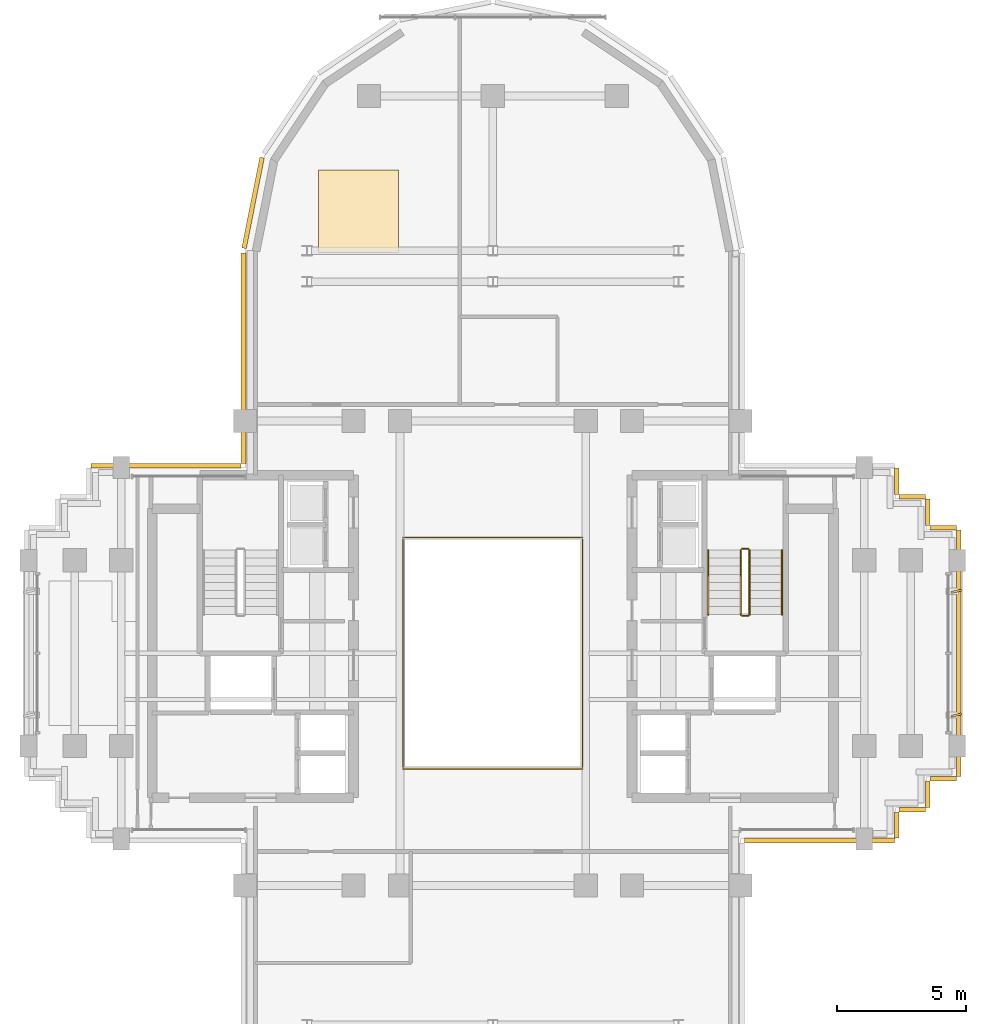
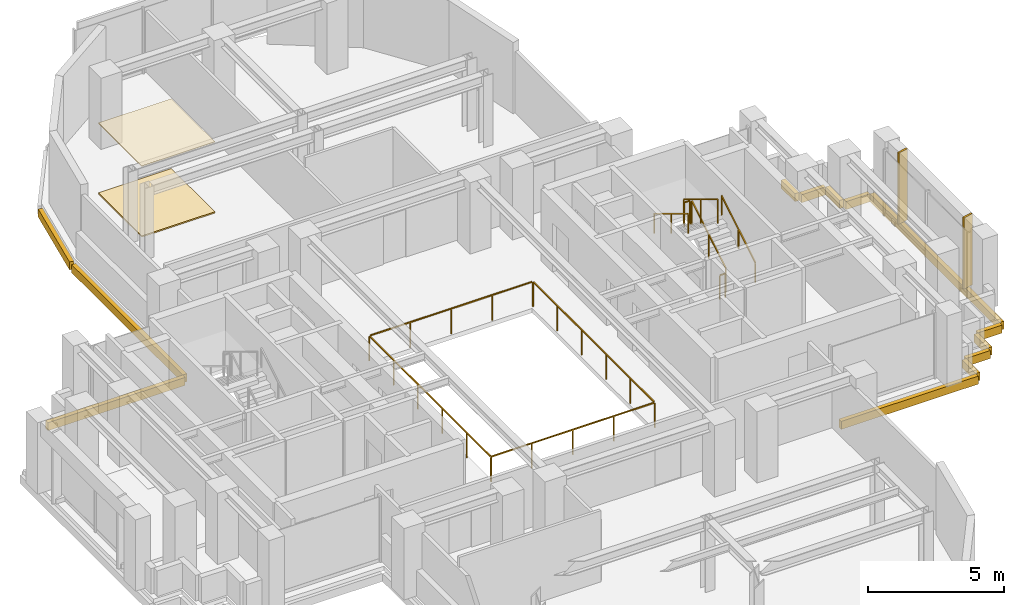
# One storey, part 10 of 12: 15 coverings, 7 railings, 2 shading devices.
"""IFC4 building model written with IfcOpenShell, lengths in metres."""

from ifc_helpers import new_model, si_unit, direction, frame, origin, origin_2d, place, context, subcontext, project, spatial, rectangle, extrude, source, transform, mapped, material, layer, layer_set, type_object, element, save


model = new_model("IFC4")

# Units and contexts
model_context = context("Model", 3, precision=1e-05, world=origin(), true_north=direction((0.0, 1.0)))
body_context = subcontext(model_context, "Body", "Model", "MODEL_VIEW")
ifc_project = project(units=[si_unit("LENGTHUNIT", "METRE"), si_unit("AREAUNIT", "SQUARE_METRE"), si_unit("VOLUMEUNIT", "CUBIC_METRE"), si_unit("PLANEANGLEUNIT", "RADIAN"), si_unit("MASSUNIT", "GRAM", prefix="KILO")], contexts=[model_context])

# Site, building, storey
site_placement = place(None, origin())
site = spatial("IfcSite", under=ifc_project, at=site_placement, CompositionType="ELEMENT")
building_placement = place(site_placement, origin())
building = spatial("IfcBuilding", under=site, at=building_placement, Name="Keilestroom Media Tower", CompositionType="ELEMENT")
storey_placement = place(building_placement, frame((0.0, 0.0, 177.39990234375)))
storey = spatial("IfcBuildingStorey", under=building, at=storey_placement, Name="L48", CompositionType="ELEMENT", Elevation=177.39990234375)

# Railings
ifc_material_1 = material(Name="Laminated Safety Glass & Bronze Steel", Category="steel")
railing_type_1 = type_object("IfcRailingType", Name="Atrium-Void-Guard-Balustrade-1150", PredefinedType="BALUSTRADE", material=ifc_material_1)
railing_1_placement = place(storey_placement, frame((-3.47998046875, -4.47998046875, 0.0)))
element("IfcRailing", 1, at=railing_1_placement, inside=storey, type_object=railing_type_1, Name="L48 Central Atrium Void Balustrade", PredefinedType="BALUSTRADE", context=body_context, shape_type="SweptSolid", body=[
    extrude(rectangle(XDim=0.048095703125, YDim=0.048095703125, at=origin_2d()), frame((0.0, 0.0, 1.1259765625), z_axis=(1.0, 0.0, 0.0), x_axis=(0.0, 1.0, 0.0)), (0.0, 0.0, 1.0), 6.911865234375),
    extrude(rectangle(XDim=0.048095703125, YDim=0.048095703125, at=origin_2d()), frame((6.9599609375, 0.048095703125, 1.1259765625), z_axis=(0.0, 1.0, 0.0), x_axis=(-1.0, 0.0, 0.0)), (0.0, 0.0, 1.0), 8.86376953125),
    extrude(rectangle(XDim=0.048095703125, YDim=0.048095703125, at=origin_2d()), frame((6.911865234375, 8.9599609375, 1.1259765625), z_axis=(-1.0, 0.0, 0.0), x_axis=(0.0, -1.0, 0.0)), (0.0, 0.0, 1.0), 6.86376953125),
    extrude(rectangle(XDim=0.048095703125, YDim=0.048095703125, at=origin_2d()), frame((0.0, 8.911865234375, 1.1259765625), z_axis=(0.0, -1.0, 0.0), x_axis=(1.0, 0.0, 0.0)), (0.0, 0.0, 1.0), 8.86376953125),
    extrude(rectangle(XDim=0.0419921875, YDim=0.0419921875, at=origin_2d()), origin(), (0.0, 0.0, 1.0), 1.09375),
    extrude(rectangle(XDim=0.0419921875, YDim=0.0419921875, at=origin_2d()), frame((1.739990234375, 0.0, 0.0)), (0.0, 0.0, 1.0), 1.09375),
    extrude(rectangle(XDim=0.0419921875, YDim=0.0419921875, at=origin_2d()), frame((3.47998046875, 0.0, 0.0)), (0.0, 0.0, 1.0), 1.09375),
    extrude(rectangle(XDim=0.0419921875, YDim=0.0419921875, at=origin_2d()), frame((5.219970703125, 0.0, 0.0)), (0.0, 0.0, 1.0), 1.09375),
    extrude(rectangle(XDim=0.0419921875, YDim=0.0419921875, at=origin_2d()), frame((6.9599609375, 0.0, 0.0)), (0.0, 0.0, 1.0), 1.09375),
    extrude(rectangle(XDim=0.0419921875, YDim=0.0419921875, at=origin_2d()), frame((6.9599609375, 1.7919921875, 0.0)), (0.0, 0.0, 1.0), 1.09375),
    extrude(rectangle(XDim=0.0419921875, YDim=0.0419921875, at=origin_2d()), frame((6.9599609375, 3.583984375, 0.0)), (0.0, 0.0, 1.0), 1.09375),
    extrude(rectangle(XDim=0.0419921875, YDim=0.0419921875, at=origin_2d()), frame((6.9599609375, 5.3759765625, 0.0)), (0.0, 0.0, 1.0), 1.09375),
    extrude(rectangle(XDim=0.0419921875, YDim=0.0419921875, at=origin_2d()), frame((6.9599609375, 7.16796875, 0.0)), (0.0, 0.0, 1.0), 1.09375),
    extrude(rectangle(XDim=0.0419921875, YDim=0.0419921875, at=origin_2d()), frame((6.9599609375, 8.9599609375, 0.0)), (0.0, 0.0, 1.0), 1.09375),
    extrude(rectangle(XDim=0.0419921875, YDim=0.0419921875, at=origin_2d()), frame((5.219970703125, 8.9599609375, 0.0)), (0.0, 0.0, 1.0), 1.09375),
    extrude(rectangle(XDim=0.0419921875, YDim=0.0419921875, at=origin_2d()), frame((3.47998046875, 8.9599609375, 0.0)), (0.0, 0.0, 1.0), 1.09375),
    extrude(rectangle(XDim=0.0419921875, YDim=0.0419921875, at=origin_2d()), frame((1.739990234375, 8.9599609375, 0.0)), (0.0, 0.0, 1.0), 1.09375),
    extrude(rectangle(XDim=0.0419921875, YDim=0.0419921875, at=origin_2d()), frame((0.0, 8.9599609375, 0.0)), (0.0, 0.0, 1.0), 1.09375),
    extrude(rectangle(XDim=0.0419921875, YDim=0.0419921875, at=origin_2d()), frame((0.0, 7.16796875, 0.0)), (0.0, 0.0, 1.0), 1.09375),
    extrude(rectangle(XDim=0.0419921875, YDim=0.0419921875, at=origin_2d()), frame((0.0, 5.3759765625, 0.0)), (0.0, 0.0, 1.0), 1.09375),
    extrude(rectangle(XDim=0.0419921875, YDim=0.0419921875, at=origin_2d()), frame((0.0, 3.583984375, 0.0)), (0.0, 0.0, 1.0), 1.09375),
    extrude(rectangle(XDim=0.0419921875, YDim=0.0419921875, at=origin_2d()), frame((0.0, 1.7919921875, 0.0)), (0.0, 0.0, 1.0), 1.09375),
])
ifc_material_2 = material(Name="Brushed Stainless Steel 1.4301", Category="steel")
railing_type_2 = type_object("IfcRailingType", Name="Stair-Pitch-Handrail-920", PredefinedType="HANDRAIL", material=ifc_material_2)
railing_2_placement = place(storey_placement, frame((11.2099609375, 1.5, 0.18896484375)))
element("IfcRailing", 2, at=railing_2_placement, inside=storey, type_object=railing_type_2, Name="L48 ST-2 stair handrail 1", PredefinedType="HANDRAIL", context=body_context, shape_type="SweptSolid", body=[
    extrude(rectangle(XDim=0.048095703125, YDim=0.048095703125, at=origin_2d()), frame((0.0, 0.0, 0.8759765625), z_axis=(0.0, 0.855433747314, 0.517912255074), x_axis=(-1.0, 0.0, 0.0)), (0.0, 0.0, 1.0), 2.91796875),
    extrude(rectangle(XDim=0.0419921875, YDim=0.0419921875, at=origin_2d()), origin(), (0.0, 0.0, 1.0), 0.84375),
    extrude(rectangle(XDim=0.0419921875, YDim=0.0419921875, at=origin_2d()), frame((0.0, 1.248046875, 0.755615234375)), (0.0, 0.0, 1.0), 0.84375),
    extrude(rectangle(XDim=0.0419921875, YDim=0.0419921875, at=origin_2d()), frame((0.0, 2.49609375, 1.51123046875)), (0.0, 0.0, 1.0), 0.84375),
])
railing_3_placement = place(storey_placement, frame((8.35009765625, 3.99609375, 1.888916015625)))
element("IfcRailing", 3, at=railing_3_placement, inside=storey, type_object=railing_type_2, Name="L48 ST-2 stair handrail 2", PredefinedType="HANDRAIL", context=body_context, shape_type="SweptSolid", body=[
    extrude(rectangle(XDim=0.048095703125, YDim=0.048095703125, at=origin_2d()), frame((0.0, 0.0, 0.8759765625), z_axis=(0.0, -0.855433747314, 0.517912255074), x_axis=(1.0, 0.0, 0.0)), (0.0, 0.0, 1.0), 2.91796875),
    extrude(rectangle(XDim=0.0419921875, YDim=0.0419921875, at=origin_2d()), origin(), (0.0, 0.0, 1.0), 0.84375),
    extrude(rectangle(XDim=0.0419921875, YDim=0.0419921875, at=origin_2d()), frame((0.0, -1.248046875, 0.755615234375)), (0.0, 0.0, 1.0), 0.84375),
    extrude(rectangle(XDim=0.0419921875, YDim=0.0419921875, at=origin_2d()), frame((0.0, -2.49609375, 1.51123046875)), (0.0, 0.0, 1.0), 0.84375),
])
ifc_material_3 = material(Name="Painted Steel Balustrade", Category="steel")
railing_type_3 = type_object("IfcRailingType", Name="Stair-Well-And-Landing-Guard-1100", PredefinedType="GUARDRAIL", material=ifc_material_3)
railing_4_placement = place(storey_placement, frame((9.949951171875, 1.5, 0.18896484375)))
element("IfcRailing", 4, at=railing_4_placement, inside=storey, type_object=railing_type_3, Name="L48 ST-2 stair guard 1", PredefinedType="GUARDRAIL", context=body_context, shape_type="SweptSolid", body=[
    extrude(rectangle(XDim=0.048095703125, YDim=0.048095703125, at=origin_2d()), frame((0.0, 0.0, 1.076171875), z_axis=(0.0, 0.855433747314, 0.517912255074), x_axis=(-1.0, 0.0, 0.0)), (0.0, 0.0, 1.0), 2.91796875),
    extrude(rectangle(XDim=0.0419921875, YDim=0.0419921875, at=origin_2d()), origin(), (0.0, 0.0, 1.0), 1.0439453125),
    extrude(rectangle(XDim=0.0419921875, YDim=0.0419921875, at=origin_2d()), frame((0.0, 1.248046875, 0.755615234375)), (0.0, 0.0, 1.0), 1.0439453125),
    extrude(rectangle(XDim=0.0419921875, YDim=0.0419921875, at=origin_2d()), frame((0.0, 2.49609375, 1.51123046875)), (0.0, 0.0, 1.0), 1.0439453125),
])
railing_5_placement = place(storey_placement, frame((9.89990234375, 4.0458984375, 1.7001953125)))
element("IfcRailing", 5, at=railing_5_placement, inside=storey, type_object=railing_type_3, Name="L48 ST-2 stair guard 2", PredefinedType="GUARDRAIL", context=body_context, shape_type="SweptSolid", body=[
    extrude(rectangle(XDim=0.048095703125, YDim=0.048095703125, at=origin_2d()), frame((0.0, 0.0, 1.076171875), z_axis=(-1.0, 0.0, 0.0), x_axis=(0.0, -1.0, 0.0)), (0.0, 0.0, 1.0), 0.239990234375),
    extrude(rectangle(XDim=0.0419921875, YDim=0.0419921875, at=origin_2d()), origin(), (0.0, 0.0, 1.0), 1.0439453125),
    extrude(rectangle(XDim=0.0419921875, YDim=0.0419921875, at=origin_2d()), frame((-0.239990234375, 0.0, 0.0)), (0.0, 0.0, 1.0), 1.0439453125),
])
railing_6_placement = place(storey_placement, frame((9.610107421875, 3.99609375, 1.888916015625)))
element("IfcRailing", 6, at=railing_6_placement, inside=storey, type_object=railing_type_3, Name="L48 ST-2 stair guard 3", PredefinedType="GUARDRAIL", context=body_context, shape_type="SweptSolid", body=[
    extrude(rectangle(XDim=0.048095703125, YDim=0.048095703125, at=origin_2d()), frame((0.0, 0.0, 1.076171875), z_axis=(0.0, -0.855433747314, 0.517912255074), x_axis=(1.0, 0.0, 0.0)), (0.0, 0.0, 1.0), 2.91796875),
    extrude(rectangle(XDim=0.0419921875, YDim=0.0419921875, at=origin_2d()), origin(), (0.0, 0.0, 1.0), 1.0439453125),
    extrude(rectangle(XDim=0.0419921875, YDim=0.0419921875, at=origin_2d()), frame((0.0, -1.248046875, 0.755615234375)), (0.0, 0.0, 1.0), 1.0439453125),
    extrude(rectangle(XDim=0.0419921875, YDim=0.0419921875, at=origin_2d()), frame((0.0, -2.49609375, 1.51123046875)), (0.0, 0.0, 1.0), 1.0439453125),
])
railing_7_placement = place(storey_placement, frame((9.89990234375, 1.449951171875, 0.0)))
element("IfcRailing", 7, at=railing_7_placement, inside=storey, type_object=railing_type_3, Name="L48 ST-2 stair guard 4", PredefinedType="GUARDRAIL", context=body_context, shape_type="SweptSolid", body=[
    extrude(rectangle(XDim=0.048095703125, YDim=0.048095703125, at=origin_2d()), frame((0.0, 0.0, 1.076171875), z_axis=(-1.0, 0.0, 0.0), x_axis=(0.0, -1.0, 0.0)), (0.0, 0.0, 1.0), 0.239990234375),
    extrude(rectangle(XDim=0.0419921875, YDim=0.0419921875, at=origin_2d()), origin(), (0.0, 0.0, 1.0), 1.0439453125),
    extrude(rectangle(XDim=0.0419921875, YDim=0.0419921875, at=origin_2d()), frame((-0.239990234375, 0.0, 0.0)), (0.0, 0.0, 1.0), 1.0439453125),
])

# Shading devices
ifc_material_4 = material(Name="Bronze Anodised Aluminium", Category="aluminium")
shading_device_type = type_object("IfcShadingDeviceType", Name="Facade-Vertical-Sunshade-Fin-SHD-1", PredefinedType="USERDEFINED", material=ifc_material_4)
shared_shape_1 = source(origin(), body_context, "Body", "SweptSolid", [
    extrude(rectangle(XDim=0.419921875, YDim=0.080078125, at=origin_2d()), origin(), (0.0, 0.0, 1.0), 3.199951171875),
])
for number, where, z_axis, x_axis, name in (
    (8, (17.969970703125, -2.39990234375, 0.0), (0.0, 0.0, 1.0), (0.97480014384, 0.223079984689, 0.0), "L48 Twisting Sunshade Fin SHD-1 067"),
    (9, (17.969970703125, 2.39990234375, 0.0), (0.0, 0.0, 1.0), (0.97480014384, 0.223079984689, 0.0), "L48 Twisting Sunshade Fin SHD-1 068"),
):
    element("IfcShadingDevice", number, at=place(storey_placement, frame(where, z_axis=z_axis, x_axis=x_axis)), inside=storey, type_object=shading_device_type, Name=name, ObjectType="SUNSHADE", PredefinedType="USERDEFINED", context=body_context, shape_type="MappedRepresentation", body=[
        mapped(shared_shape_1, transform((0.0, 0.0, 0.0), x_axis=(1.0, 0.0, 0.0), y_axis=(0.0, 1.0, 0.0), z_axis=(0.0, 0.0, 1.0), scale=1.0)),
    ])

# Coverings
ifc_material_5 = material(Name="Precast concrete C40/50", Category="concrete")
ifc_layer_1 = layer(ifc_material_5, 0.1201171875)
ifc_layer_set_1 = layer_set([ifc_layer_1], Name="Precast concrete C40/50")
covering_type_1 = type_object("IfcCoveringType", Name="Exterior-Precast-Spandrel-Cladding-Panel-120", PredefinedType="CLADDING", material=ifc_layer_set_1)
shared_shape_2 = source(origin(), body_context, "Body", "SweptSolid", [
    extrude(rectangle(XDim=1.02001953125, YDim=0.179931640625, at=origin_2d()), origin(), (0.0, 0.0, 1.0), 0.360107421875),
])
for number, where, z_axis, x_axis, name in (
    (10, (17.4599609375, -4.860107421875, -0.5400390625), (0.0, 0.0, 1.0), (-1.0, 0.0, 0.0), "L48 Precast Slab-Edge Fascia Cornice 01"),
    (11, (16.860107421875, -5.4599609375, -0.5400390625), (0.0, 0.0, 1.0), (0.0, -1.0, 0.0), "L48 Precast Slab-Edge Fascia Cornice 02"),
    (12, (16.260009765625, -6.06005859375, -0.5400390625), (0.0, 0.0, 1.0), (-1.0, 0.0, 0.0), "L48 Precast Slab-Edge Fascia Cornice 03"),
    (13, (15.659912109375, -6.659912109375, -0.5400390625), (0.0, 0.0, 1.0), (0.0, -1.0, 0.0), "L48 Precast Slab-Edge Fascia Cornice 04"),
    (14, (15.659912109375, 6.659912109375, -0.5400390625), (0.0, 0.0, 1.0), (0.0, -1.0, 0.0), "L48 Precast Slab-Edge Fascia Cornice 38"),
    (15, (16.260009765625, 6.06005859375, -0.5400390625), (0.0, 0.0, 1.0), (1.0, 0.0, 0.0), "L48 Precast Slab-Edge Fascia Cornice 39"),
    (16, (16.860107421875, 5.4599609375, -0.5400390625), (0.0, 0.0, 1.0), (0.0, -1.0, 0.0), "L48 Precast Slab-Edge Fascia Cornice 40"),
    (17, (17.4599609375, 4.860107421875, -0.5400390625), (0.0, 0.0, 1.0), (1.0, 0.0, 0.0), "L48 Precast Slab-Edge Fascia Cornice 41"),
):
    element("IfcCovering", number, at=place(storey_placement, frame(where, z_axis=z_axis, x_axis=x_axis)), inside=storey, type_object=covering_type_1, Name=name, PredefinedType="CLADDING", context=body_context, shape_type="MappedRepresentation", body=[
        mapped(shared_shape_2, transform((0.0, 0.0, 0.0), x_axis=(1.0, 0.0, 0.0), y_axis=(0.0, 1.0, 0.0), z_axis=(0.0, 0.0, 1.0), scale=1.0)),
    ])
shared_shape_3 = source(origin(), body_context, "Body", "SweptSolid", [
    extrude(rectangle(XDim=8.166015625, YDim=0.179931640625, at=origin_2d()), origin(), (0.0, 0.0, 1.0), 0.360107421875),
])
covering_1_placement = place(storey_placement, frame((-9.659912109375, 11.43310546875, -0.5400390625), z_axis=(0.0, 0.0, 1.0), x_axis=(0.0, 1.0, 0.0)))
element("IfcCovering", 18, at=covering_1_placement, inside=storey, type_object=covering_type_1, Name="L48 Precast Slab-Edge Fascia Cornice 27", PredefinedType="CLADDING", context=body_context, shape_type="MappedRepresentation", body=[
    mapped(shared_shape_3, transform((0.0, 0.0, 0.0), x_axis=(1.0, 0.0, 0.0), y_axis=(0.0, 1.0, 0.0), z_axis=(0.0, 0.0, 1.0), scale=1.0)),
])
shared_shape_4 = source(origin(), body_context, "Body", "SweptSolid", [
    extrude(rectangle(XDim=3.58349609375, YDim=0.179931640625, at=origin_2d()), origin(), (0.0, 0.0, 1.0), 0.360107421875),
])
covering_2_placement = place(storey_placement, frame((-9.29296875, 17.45166015625, -0.5400390625), z_axis=(0.0, 0.0, 1.0), x_axis=(0.195098880975, 0.980783577882, 0.0)))
element("IfcCovering", 19, at=covering_2_placement, inside=storey, type_object=covering_type_1, Name="L48 Precast Slab-Edge Fascia Cornice 28", PredefinedType="CLADDING", context=body_context, shape_type="MappedRepresentation", body=[
    mapped(shared_shape_4, transform((0.0, 0.0, 0.0), x_axis=(1.0, 0.0, 0.0), y_axis=(0.0, 1.0, 0.0), z_axis=(0.0, 0.0, 1.0), scale=1.0)),
])
shared_shape_5 = source(origin(), body_context, "Body", "SweptSolid", [
    extrude(rectangle(XDim=9.5400390625, YDim=0.179931640625, at=origin_2d()), origin(), (0.0, 0.0, 1.0), 0.360107421875),
])
covering_3_placement = place(storey_placement, frame((18.06005859375, 0.0, -0.5400390625), z_axis=(0.0, 0.0, 1.0), x_axis=(0.0, -1.0, 0.0)))
element("IfcCovering", 20, at=covering_3_placement, inside=storey, type_object=covering_type_1, Name="L48 Precast Slab-Edge Fascia Cornice 42", PredefinedType="CLADDING", context=body_context, shape_type="MappedRepresentation", body=[
    mapped(shared_shape_5, transform((0.0, 0.0, 0.0), x_axis=(1.0, 0.0, 0.0), y_axis=(0.0, 1.0, 0.0), z_axis=(0.0, 0.0, 1.0), scale=1.0)),
])
shared_shape_6 = source(origin(), body_context, "Body", "SweptSolid", [
    extrude(rectangle(XDim=5.820068359375, YDim=0.179931640625, at=origin_2d()), origin(), (0.0, 0.0, 1.0), 0.360107421875),
])
for number, where, z_axis, x_axis, name in (
    (21, (12.659912109375, -7.260009765625, -0.5400390625), (0.0, 0.0, 1.0), (-1.0, 0.0, 0.0), "L48 Precast Slab-Edge Fascia Cornice 05"),
    (22, (-12.659912109375, 7.260009765625, -0.5400390625), (0.0, 0.0, 1.0), (1.0, 0.0, 0.0), "L48 Precast Slab-Edge Fascia Cornice 26"),
):
    element("IfcCovering", number, at=place(storey_placement, frame(where, z_axis=z_axis, x_axis=x_axis)), inside=storey, type_object=covering_type_1, Name=name, PredefinedType="CLADDING", context=body_context, shape_type="MappedRepresentation", body=[
        mapped(shared_shape_6, transform((0.0, 0.0, 0.0), x_axis=(1.0, 0.0, 0.0), y_axis=(0.0, 1.0, 0.0), z_axis=(0.0, 0.0, 1.0), scale=1.0)),
    ])
ifc_material_6 = material(Name="Mineral-Fibre Acoustic Ceiling Tile", Category="gypsum")
ifc_layer_2 = layer(ifc_material_6, 0.0400390625)
ifc_layer_set_2 = layer_set([ifc_layer_2], Name="Mineral-Fibre Acoustic Ceiling Tile")
covering_type_2 = type_object("IfcCoveringType", Name="Suspended-Acoustic-Ceiling-40", PredefinedType="CEILING", material=ifc_layer_set_2)
shared_shape_7 = source(origin(), body_context, "Body", "SweptSolid", [
    extrude(rectangle(XDim=3.10400390625, YDim=3.199951171875, at=origin_2d()), origin(), (0.0, 0.0, 1.0), 0.0400390625),
])
covering_4_placement = place(storey_placement, frame((-5.2099609375, 17.12890625, 3.16015625), z_axis=(0.0, 0.0, 1.0), x_axis=(1.0, 0.0, 0.0)))
element("IfcCovering", 23, at=covering_4_placement, inside=storey, type_object=covering_type_2, Name="L48 Suspended Acoustic Ceiling 2", PredefinedType="CEILING", context=body_context, shape_type="MappedRepresentation", body=[
    mapped(shared_shape_7, transform((0.0, 0.0, 0.0), x_axis=(1.0, 0.0, 0.0), y_axis=(0.0, 1.0, 0.0), z_axis=(0.0, 0.0, 1.0), scale=1.0)),
])
ifc_material_7 = material(Name="Calcium-Sulphate Raised Access Floor", Category="concrete")
ifc_layer_3 = layer(ifc_material_7, 0.06005859375)
ifc_layer_set_3 = layer_set([ifc_layer_3], Name="Calcium-Sulphate Raised Access Floor")
covering_type_3 = type_object("IfcCoveringType", Name="Raised-Access-And-Acoustic-Flooring-60", PredefinedType="FLOORING", material=ifc_layer_set_3)
shared_shape_8 = source(origin(), body_context, "Body", "SweptSolid", [
    extrude(rectangle(XDim=3.10400390625, YDim=3.199951171875, at=origin_2d()), origin(), (0.0, 0.0, 1.0), 0.06005859375),
])
covering_5_placement = place(storey_placement, frame((-5.2099609375, 17.12890625, 0.0), z_axis=(0.0, 0.0, 1.0), x_axis=(1.0, 0.0, 0.0)))
element("IfcCovering", 24, at=covering_5_placement, inside=storey, type_object=covering_type_3, Name="L48 Raised Access Flooring 2", PredefinedType="FLOORING", context=body_context, shape_type="MappedRepresentation", body=[
    mapped(shared_shape_8, transform((0.0, 0.0, 0.0), x_axis=(1.0, 0.0, 0.0), y_axis=(0.0, 1.0, 0.0), z_axis=(0.0, 0.0, 1.0), scale=1.0)),
])

save(model, "model.ifc")
